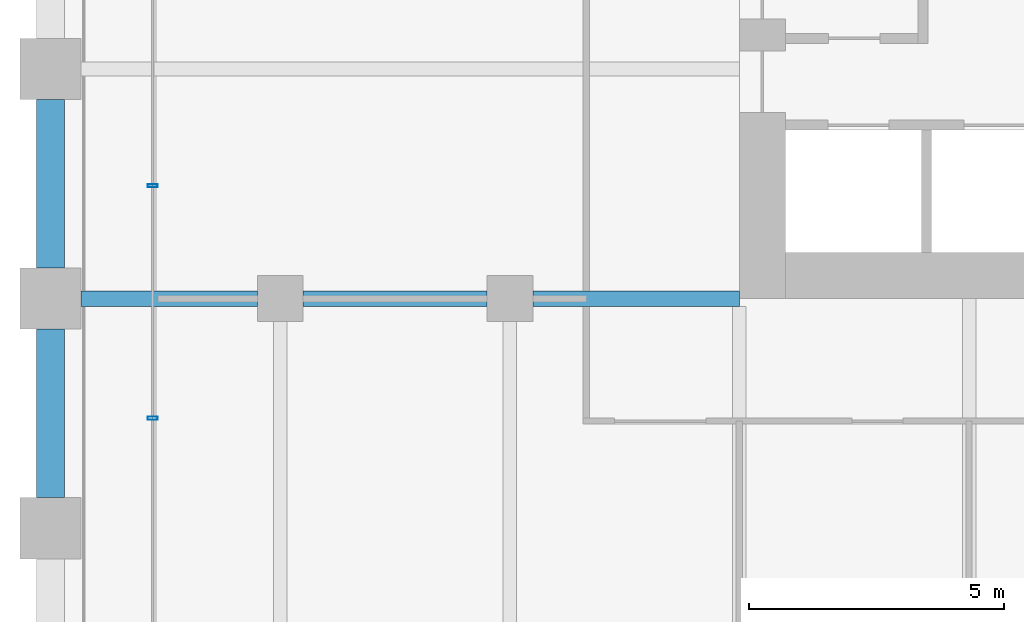
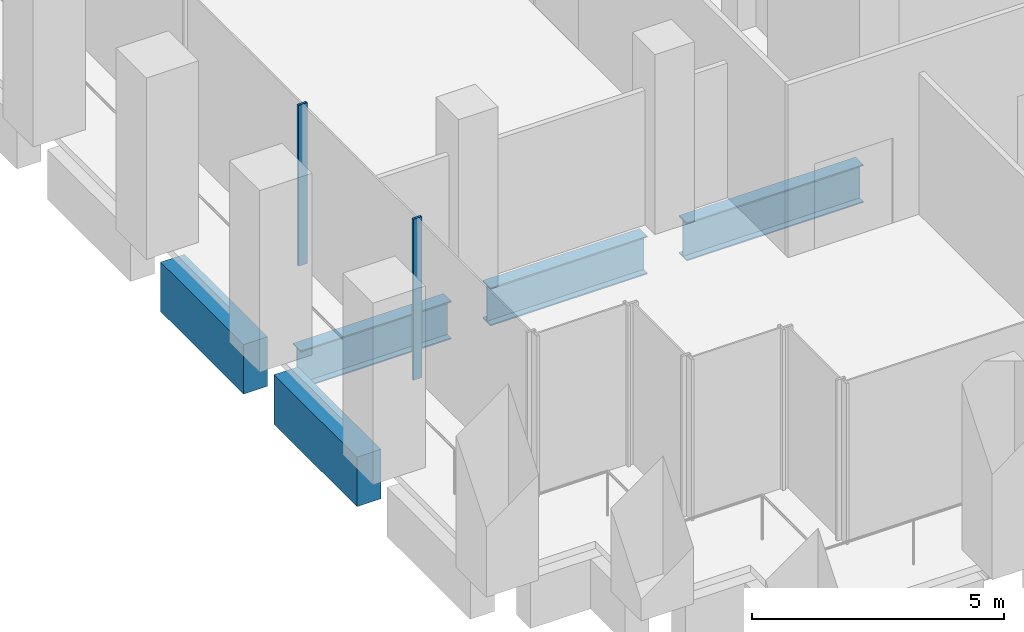
# One storey, part 4 of 36: 5 beams, 2 members, 1 element without a shape of its own.
"""IFC4 building model written with IfcOpenShell, lengths in metres."""

from ifc_helpers import new_model, si_unit, direction, frame, origin, origin_2d, place, context, subcontext, project, spatial, rectangle, hollow_rectangle, i_section, extrude, material, material_profile, profile_set, type_object, element, aggregate, save


model = new_model("IFC4")

# Units and contexts
model_context = context("Model", 3, precision=1e-05, world=origin(), true_north=direction((0.0, 1.0)))
body_context = subcontext(model_context, "Body", "Model", "MODEL_VIEW")
ifc_project = project(units=[si_unit("LENGTHUNIT", "METRE"), si_unit("AREAUNIT", "SQUARE_METRE"), si_unit("VOLUMEUNIT", "CUBIC_METRE"), si_unit("PLANEANGLEUNIT", "RADIAN"), si_unit("MASSUNIT", "GRAM", prefix="KILO")], contexts=[model_context])

# Site, building, storey
site_placement = place(None, origin())
site = spatial("IfcSite", under=ifc_project, at=site_placement, CompositionType="ELEMENT")
building_placement = place(site_placement, origin())
building = spatial("IfcBuilding", under=site, at=building_placement, Name="Altepetl Exchange Towers", CompositionType="ELEMENT")
storey_placement = place(building_placement, frame((0.0, 0.0, 25.39990234375)))
storey = spatial("IfcBuildingStorey", under=building, at=storey_placement, Name="L05", CompositionType="ELEMENT", Elevation=25.39990234375)

# Beams
ifc_material_1 = material(Name="Steel S355", Category="steel")
ifc_material_profile_1 = material_profile(ifc_material_1, i_section(OverallWidth=0.306884765625, OverallDepth=0.923095703125, WebThickness=0.018310546875, FlangeThickness=0.030029296875, at=origin_2d()), Name="W36X182")
ifc_profile_set_1 = profile_set([ifc_material_profile_1], Name="Steel S355")
beam_type_1 = type_object("IfcBeamType", Name="Girder W36X182", PredefinedType="BEAM", material=ifc_profile_set_1)
beam_1_placement = place(storey_placement, frame((40.5, 40.5, -0.636474609375), z_axis=(-1.0, 0.0, 0.0), x_axis=(0.0, -1.0, 0.0)))
element("IfcBeam", 1, at=beam_1_placement, inside=storey, type_object=beam_type_1, Name="gd:A:L05:009", PredefinedType="BEAM", context=body_context, shape_type="SweptSolid", body=[
    extrude(i_section(OverallWidth=0.306884765625, OverallDepth=0.923095703125, WebThickness=0.018310546875, FlangeThickness=0.030029296875, at=origin_2d()), origin(), (0.0, 0.0, 1.0), 4.050048828125),
])
beam_2_placement = place(storey_placement, frame((35.550048828125, 40.5, -0.636474609375), z_axis=(-1.0, 0.0, 0.0), x_axis=(0.0, -1.0, 0.0)))
element("IfcBeam", 2, at=beam_2_placement, inside=storey, type_object=beam_type_1, Name="gd:A:L05:010", PredefinedType="BEAM", context=body_context, shape_type="SweptSolid", body=[
    extrude(i_section(OverallWidth=0.306884765625, OverallDepth=0.923095703125, WebThickness=0.018310546875, FlangeThickness=0.030029296875, at=origin_2d()), origin(), (0.0, 0.0, 1.0), 3.60009765625),
])
beam_3_placement = place(storey_placement, frame((31.050048828125, 40.5, -0.636474609375), z_axis=(-1.0, 0.0, 0.0), x_axis=(0.0, -1.0, 0.0)))
element("IfcBeam", 3, at=beam_3_placement, inside=storey, type_object=beam_type_1, Name="gd:A:L05:011", PredefinedType="BEAM", context=body_context, shape_type="SweptSolid", body=[
    extrude(i_section(OverallWidth=0.306884765625, OverallDepth=0.923095703125, WebThickness=0.018310546875, FlangeThickness=0.030029296875, at=origin_2d()), origin(), (0.0, 0.0, 1.0), 3.449951171875),
])

# Curtain wall, members
ifc_material_2 = material(Name="Aluminium 6063-T6 glazing", Category="aluminium")
curtain_wall_type = type_object("IfcCurtainWallType", Name="Trading floor glazing system", PredefinedType="NOTDEFINED", material=ifc_material_2)
curtain_wall_placement = place(storey_placement, origin())
curtain_wall = element("IfcCurtainWall", 4, at=curtain_wall_placement, inside=storey, type_object=curtain_wall_type, Name="CW2 run", PredefinedType="NOTDEFINED")
ifc_material_3 = material(Name="Aluminium 6063-T6", Category="aluminium")
ifc_material_profile_2 = material_profile(ifc_material_3, hollow_rectangle(XDim=0.06005859375, YDim=0.199951171875, WallThickness=0.0029296875, at=origin_2d()), Name="Mullion 60x200 aluminium")
ifc_profile_set_2 = profile_set([ifc_material_profile_2], Name="Aluminium 6063-T6")
member_type = type_object("IfcMemberType", Name="Mullion 60x200 aluminium", PredefinedType="MULLION", material=ifc_profile_set_2)
member_1_placement = place(storey_placement, frame((29.0, 42.71435546875, 0.0), z_axis=(0.0, 0.0, 1.0), x_axis=(0.0, -1.0, 0.0)))
member_1 = element("IfcMember", 5, at=member_1_placement, type_object=member_type, Name="MU2 mullion", PredefinedType="MULLION", context=body_context, shape_type="SweptSolid", body=[
    extrude(hollow_rectangle(XDim=0.06005859375, YDim=0.199951171875, WallThickness=0.0029296875, at=origin_2d()), origin(), (0.0, 0.0, 1.0), 3.900146484375),
])
member_2_placement = place(storey_placement, frame((29.0, 38.1572265625, 0.0), z_axis=(0.0, 0.0, 1.0), x_axis=(0.0, -1.0, 0.0)))
member_2 = element("IfcMember", 6, at=member_2_placement, type_object=member_type, Name="MU2 mullion", PredefinedType="MULLION", context=body_context, shape_type="SweptSolid", body=[
    extrude(hollow_rectangle(XDim=0.06005859375, YDim=0.199951171875, WallThickness=0.0029296875, at=origin_2d()), origin(), (0.0, 0.0, 1.0), 3.900146484375),
])
aggregate(curtain_wall, [member_1, member_2])

# Beams
ifc_material_4 = material(Name="Concrete C50/60 precast with cantera blanca facing", Category="concrete")
ifc_material_profile_3 = material_profile(ifc_material_4, rectangle(XDim=0.550048828125, YDim=1.199951171875, at=origin_2d()), Name="550 x 1200")
ifc_profile_set_3 = profile_set([ifc_material_profile_3], Name="Concrete C50/60 precast with cantera blanca facing")
beam_type_2 = type_object("IfcBeamType", Name="Spandrel beam 550x1200 cantera blanca", PredefinedType="SPANDREL", material=ifc_profile_set_3)
beam_4_placement = place(storey_placement, frame((27.0, 39.89990234375, -0.77490234375), z_axis=(0.0, -1.0, 0.0), x_axis=(1.0, 0.0, 0.0)))
element("IfcBeam", 7, at=beam_4_placement, inside=storey, type_object=beam_type_2, Name="sp:A:L05:042", PredefinedType="SPANDREL", context=body_context, shape_type="SweptSolid", body=[
    extrude(rectangle(XDim=0.550048828125, YDim=1.199951171875, at=origin_2d()), origin(), (0.0, 0.0, 1.0), 3.2998046875),
])
ifc_material_5 = material(Name="Concrete C50/60 precast with tezontle facing", Category="concrete")
ifc_material_profile_4 = material_profile(ifc_material_5, rectangle(XDim=0.550048828125, YDim=1.199951171875, at=origin_2d()), Name="550 x 1200")
ifc_profile_set_4 = profile_set([ifc_material_profile_4], Name="Concrete C50/60 precast with tezontle facing")
beam_type_3 = type_object("IfcBeamType", Name="Spandrel beam 550x1200 tezontle", PredefinedType="SPANDREL", material=ifc_profile_set_4)
beam_5_placement = place(storey_placement, frame((27.0, 44.39990234375, -0.77490234375), z_axis=(0.0, -1.0, 0.0), x_axis=(1.0, 0.0, 0.0)))
element("IfcBeam", 8, at=beam_5_placement, inside=storey, type_object=beam_type_3, Name="sp:A:L05:041", PredefinedType="SPANDREL", context=body_context, shape_type="SweptSolid", body=[
    extrude(rectangle(XDim=0.550048828125, YDim=1.199951171875, at=origin_2d()), origin(), (0.0, 0.0, 1.0), 3.2998046875),
])

save(model, "model.ifc")
